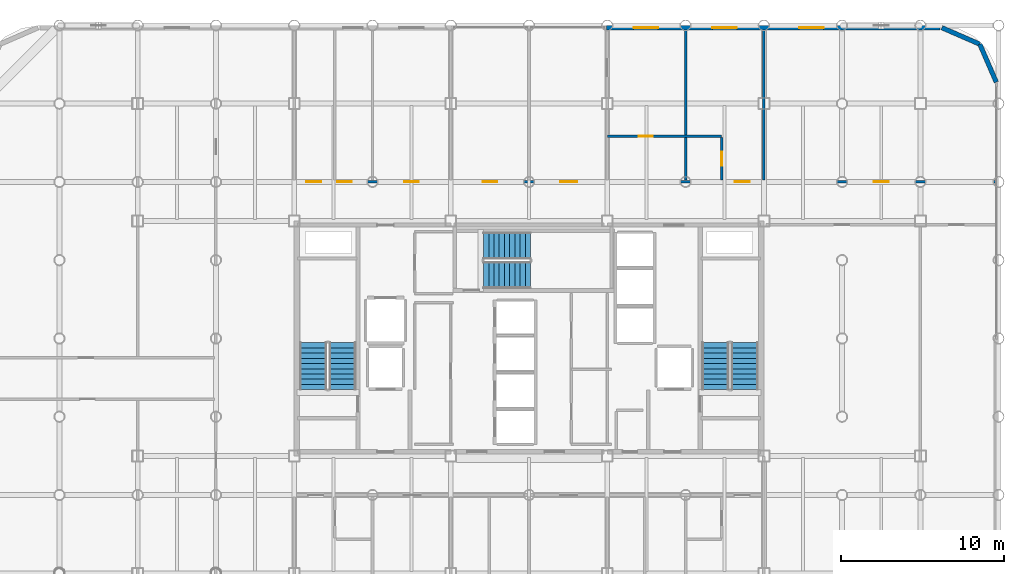
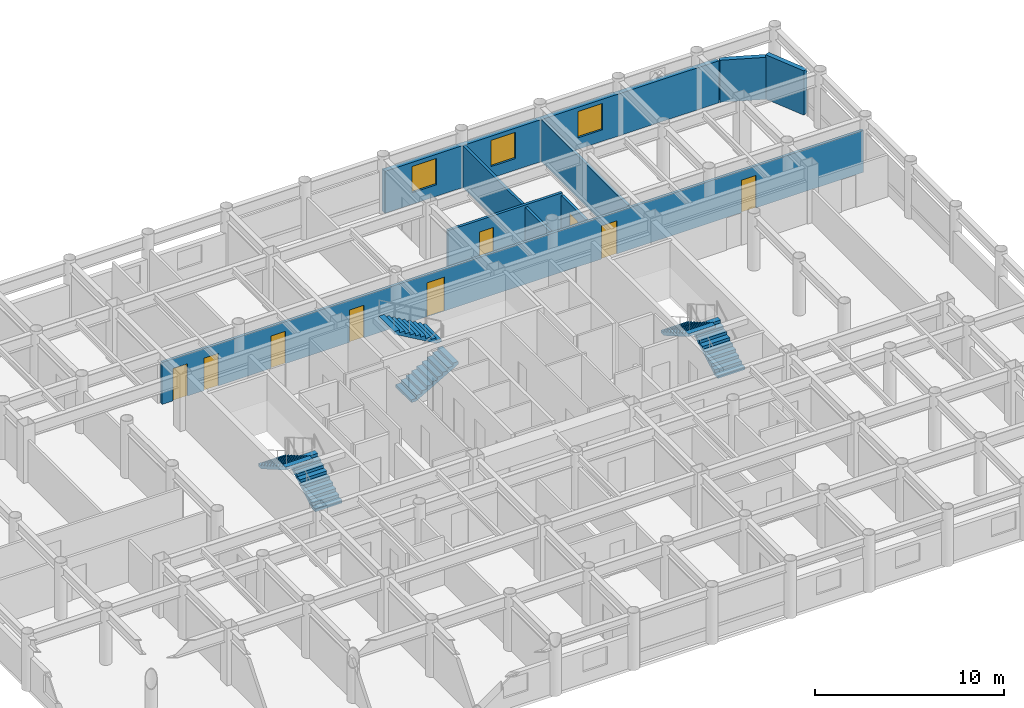
# One storey, part 19 of 20: 9 doors, 8 walls, 6 stair flights, 3 windows, 12 openings, 3 elements without a shape of their own.
"""IFC4 building model written with IfcOpenShell, lengths in metres."""

from ifc_helpers import new_model, si_unit, direction, frame, frame_2d, origin, place, context, subcontext, project, spatial, polyline, rectangle, outline, extrude, material, layer, layer_set, type_object, element, fill, aggregate, save


model = new_model("IFC4")

# Units and contexts
model_context = context("Model", 3, precision=1e-05, world=origin(), true_north=direction((0.0, 1.0)))
body_context = subcontext(model_context, "Body", "Model", "MODEL_VIEW")
ifc_project = project(units=[si_unit("LENGTHUNIT", "METRE"), si_unit("AREAUNIT", "SQUARE_METRE"), si_unit("VOLUMEUNIT", "CUBIC_METRE"), si_unit("PLANEANGLEUNIT", "RADIAN"), si_unit("MASSUNIT", "GRAM", prefix="KILO")], contexts=[model_context])

# Site, building, storey
site_placement = place(None, origin())
site = spatial("IfcSite", under=ifc_project, at=site_placement, CompositionType="ELEMENT")
building_placement = place(site_placement, origin())
building = spatial("IfcBuilding", under=site, at=building_placement, Name="Kallvorn Hotel Tower", CompositionType="ELEMENT")
storey_placement = place(building_placement, frame((0.0, 0.0, 161.800048828125)))
storey = spatial("IfcBuildingStorey", under=building, at=storey_placement, Name="L40", CompositionType="ELEMENT", Elevation=161.800048828125)

# Wall, openings, doors
ifc_material_1 = material(Name="Fire-rated double-layer acoustic gypsum drywall EI 60")
ifc_layer_1 = layer(ifc_material_1, 0.159912109375)
ifc_layer_set_1 = layer_set([ifc_layer_1], Name="WL_DEMISE_160")
wall_type_1 = type_object("IfcWallType", Name="WL_DEMISE_160", PredefinedType="PARTITIONING", material=ifc_layer_set_1)
wall_1_placement = place(storey_placement, frame((-14.320068359375, 9.60009765625, 0.0), z_axis=(0.0, 0.0, 1.0), x_axis=(1.0, 0.0, 0.0)))
wall_1 = element("IfcWall", 1, at=wall_1_placement, inside=storey, type_object=wall_type_1, Name="L40 Suite 4005 Junior Living Salon Partition", PredefinedType="PARTITIONING", context=body_context, shape_type="SweptSolid", body=[
    extrude(rectangle(XDim=42.949951171875, YDim=0.159912109375, at=frame_2d((21.47509765625, 0.0))), origin(), (0.0, 0.0, 1.0), 2.719970703125),
])
opening_1_placement = place(wall_1_placement, frame((35.469970703125, 0.0, 0.0)))
opening_1 = element("IfcOpeningElement", 2, at=opening_1_placement, cuts=wall_1, Name="Opening SVD1", PredefinedType="OPENING", context=body_context, shape_type="SweptSolid", body=[
    extrude(rectangle(XDim=0.89990234375, YDim=2.10009765625, at=frame_2d((0.449951171875, 1.050048828125))), frame((0.0, 0.094970703125, 0.0), z_axis=(0.0, -1.0, 0.0), x_axis=(1.0, 0.0, 0.0)), (0.0, 0.0, 1.0), 0.18994140625),
])
opening_2_placement = place(wall_1_placement, frame((0.669921875, 0.0, 0.0)))
opening_2 = element("IfcOpeningElement", 3, at=opening_2_placement, cuts=wall_1, Name="Opening SVD1", PredefinedType="OPENING", context=body_context, shape_type="SweptSolid", body=[
    extrude(rectangle(XDim=0.89990234375, YDim=2.10009765625, at=frame_2d((0.449951171875, 1.050048828125))), frame((0.0, 0.094970703125, 0.0), z_axis=(0.0, -1.0, 0.0), x_axis=(1.0, 0.0, 0.0)), (0.0, 0.0, 1.0), 0.18994140625),
])
opening_3_placement = place(wall_1_placement, frame((2.56005859375, 0.0, 0.0)))
opening_3 = element("IfcOpeningElement", 4, at=opening_3_placement, cuts=wall_1, Name="Opening SVD1", PredefinedType="OPENING", context=body_context, shape_type="SweptSolid", body=[
    extrude(rectangle(XDim=0.89990234375, YDim=2.10009765625, at=frame_2d((0.449951171875, 1.050048828125))), frame((0.0, 0.094970703125, 0.0), z_axis=(0.0, -1.0, 0.0), x_axis=(1.0, 0.0, 0.0)), (0.0, 0.0, 1.0), 0.18994140625),
])
opening_4_placement = place(wall_1_placement, frame((6.669921875, 0.0, 0.0)))
opening_4 = element("IfcOpeningElement", 5, at=opening_4_placement, cuts=wall_1, Name="Opening SVD1", PredefinedType="OPENING", context=body_context, shape_type="SweptSolid", body=[
    extrude(rectangle(XDim=0.89990234375, YDim=2.10009765625, at=frame_2d((0.449951171875, 1.050048828125))), frame((0.0, 0.094970703125, 0.0), z_axis=(0.0, -1.0, 0.0), x_axis=(1.0, 0.0, 0.0)), (0.0, 0.0, 1.0), 0.18994140625),
])
opening_5_placement = place(wall_1_placement, frame((11.469970703125, 0.0, 0.0)))
opening_5 = element("IfcOpeningElement", 6, at=opening_5_placement, cuts=wall_1, Name="Opening SVD1", PredefinedType="OPENING", context=body_context, shape_type="SweptSolid", body=[
    extrude(rectangle(XDim=0.89990234375, YDim=2.10009765625, at=frame_2d((0.449951171875, 1.050048828125))), frame((0.0, 0.094970703125, 0.0), z_axis=(0.0, -1.0, 0.0), x_axis=(1.0, 0.0, 0.0)), (0.0, 0.0, 1.0), 0.18994140625),
])
opening_6_placement = place(wall_1_placement, frame((16.235107421875, 0.0, 0.0)))
opening_6 = element("IfcOpeningElement", 7, at=opening_6_placement, cuts=wall_1, Name="Opening GD2", PredefinedType="OPENING", context=body_context, shape_type="SweptSolid", body=[
    extrude(rectangle(XDim=1.050048828125, YDim=2.199951171875, at=frame_2d((0.52490234375, 1.10009765625))), frame((0.0, 0.094970703125, 0.0), z_axis=(0.0, -1.0, 0.0), x_axis=(1.0, 0.0, 0.0)), (0.0, 0.0, 1.0), 0.18994140625),
])
opening_7_placement = place(wall_1_placement, frame((26.925048828125, 0.0, 0.0)))
opening_7 = element("IfcOpeningElement", 8, at=opening_7_placement, cuts=wall_1, Name="Opening GD1", PredefinedType="OPENING", context=body_context, shape_type="SweptSolid", body=[
    extrude(rectangle(XDim=0.919921875, YDim=2.14990234375, at=frame_2d((0.4599609375, 1.074951171875))), frame((0.0, 0.094970703125, 0.0), z_axis=(0.0, -1.0, 0.0), x_axis=(1.0, 0.0, 0.0)), (0.0, 0.0, 1.0), 0.18994140625),
])
ifc_material_2 = material(Name="Solid-core walnut veneer fire-rated timber door leaf", Category="wood")
door_type_1 = type_object("IfcDoorType", Name="DR_GUEST_920x2150", OperationType="NOTDEFINED", PredefinedType="DOOR", material=ifc_material_2)
door_1_placement = place(opening_7_placement, origin())
door_1 = element("IfcDoor", 9, at=door_1_placement, inside=storey, type_object=door_type_1, Name="L40 Suite 4006 Standard Twin Room Door", OperationType="SINGLE_SWING_LEFT", OverallHeight=2.14990234375, OverallWidth=0.919921875, PredefinedType="DOOR", context=body_context, shape_type="SweptSolid", body=[
    extrude(rectangle(XDim=0.919921875, YDim=2.14990234375, at=frame_2d((0.4599609375, 1.074951171875))), frame((0.0, 0.02490234375, 0.0), z_axis=(0.0, -1.0, 0.0), x_axis=(1.0, 0.0, 0.0)), (0.0, 0.0, 1.0), 0.050048828125),
])
fill(opening_7, door_1)
ifc_material_3 = material(Name="Galvanised painted steel fire-rated door assembly", Category="steel")
door_type_2 = type_object("IfcDoorType", Name="DR_SERV_900x2100", OperationType="NOTDEFINED", PredefinedType="DOOR", material=ifc_material_3)
door_2_placement = place(opening_1_placement, origin())
door_2 = element("IfcDoor", 10, at=door_2_placement, inside=storey, type_object=door_type_2, Name="L40 L40 North-East Monserrate Banquet Hall Door", OperationType="SINGLE_SWING_RIGHT", OverallHeight=2.10009765625, OverallWidth=0.89990234375, PredefinedType="DOOR", context=body_context, shape_type="SweptSolid", body=[
    extrude(rectangle(XDim=0.89990234375, YDim=2.10009765625, at=frame_2d((0.449951171875, 1.050048828125))), frame((0.0, 0.02490234375, 0.0), z_axis=(0.0, -1.0, 0.0), x_axis=(1.0, 0.0, 0.0)), (0.0, 0.0, 1.0), 0.050048828125),
])
fill(opening_1, door_2)
door_3_placement = place(opening_2_placement, origin())
door_3 = element("IfcDoor", 11, at=door_3_placement, inside=storey, type_object=door_type_2, Name="L40 Housekeeping and Linen Room Door", OperationType="SINGLE_SWING_LEFT", OverallHeight=2.10009765625, OverallWidth=0.89990234375, PredefinedType="DOOR", context=body_context, shape_type="SweptSolid", body=[
    extrude(rectangle(XDim=0.89990234375, YDim=2.10009765625, at=frame_2d((0.449951171875, 1.050048828125))), frame((0.0, 0.02490234375, 0.0), z_axis=(0.0, -1.0, 0.0), x_axis=(1.0, 0.0, 0.0)), (0.0, 0.0, 1.0), 0.050048828125),
])
fill(opening_2, door_3)
door_4_placement = place(opening_3_placement, origin())
door_4 = element("IfcDoor", 12, at=door_4_placement, inside=storey, type_object=door_type_2, Name="L40 Guest Tea and Refreshment Bar Door", OperationType="SINGLE_SWING_RIGHT", OverallHeight=2.10009765625, OverallWidth=0.89990234375, PredefinedType="DOOR", context=body_context, shape_type="SweptSolid", body=[
    extrude(rectangle(XDim=0.89990234375, YDim=2.10009765625, at=frame_2d((0.449951171875, 1.050048828125))), frame((0.0, 0.02490234375, 0.0), z_axis=(0.0, -1.0, 0.0), x_axis=(1.0, 0.0, 0.0)), (0.0, 0.0, 1.0), 0.050048828125),
])
fill(opening_3, door_4)
door_5_placement = place(opening_4_placement, origin())
door_5 = element("IfcDoor", 13, at=door_5_placement, inside=storey, type_object=door_type_2, Name="L40 L40 Executive Co-Working Open-Plan Office 2-1 Door", OperationType="SINGLE_SWING_RIGHT", OverallHeight=2.10009765625, OverallWidth=0.89990234375, PredefinedType="DOOR", context=body_context, shape_type="SweptSolid", body=[
    extrude(rectangle(XDim=0.89990234375, YDim=2.10009765625, at=frame_2d((0.449951171875, 1.050048828125))), frame((0.0, 0.02490234375, 0.0), z_axis=(0.0, -1.0, 0.0), x_axis=(1.0, 0.0, 0.0)), (0.0, 0.0, 1.0), 0.050048828125),
])
fill(opening_4, door_5)
door_6_placement = place(opening_5_placement, origin())
door_6 = element("IfcDoor", 14, at=door_6_placement, inside=storey, type_object=door_type_2, Name="L40 L40 Executive Co-Working Open-Plan Office 2-2 Door", OperationType="SINGLE_SWING_LEFT", OverallHeight=2.10009765625, OverallWidth=0.89990234375, PredefinedType="DOOR", context=body_context, shape_type="SweptSolid", body=[
    extrude(rectangle(XDim=0.89990234375, YDim=2.10009765625, at=frame_2d((0.449951171875, 1.050048828125))), frame((0.0, 0.02490234375, 0.0), z_axis=(0.0, -1.0, 0.0), x_axis=(1.0, 0.0, 0.0)), (0.0, 0.0, 1.0), 0.050048828125),
])
fill(opening_5, door_6)
ifc_material_4 = material(Name="Solid-core walnut veneer fire-rated timber door leaf", Category="wood")
door_type_3 = type_object("IfcDoorType", Name="DR_SUITE_1050x2200", OperationType="NOTDEFINED", PredefinedType="DOOR", material=ifc_material_4)
door_7_placement = place(opening_6_placement, origin())
door_7 = element("IfcDoor", 15, at=door_7_placement, inside=storey, type_object=door_type_3, Name="L40 Suite 4005 Junior Living Salon Door", OperationType="SINGLE_SWING_RIGHT", OverallHeight=2.199951171875, OverallWidth=1.050048828125, PredefinedType="DOOR", context=body_context, shape_type="SweptSolid", body=[
    extrude(rectangle(XDim=1.050048828125, YDim=2.199951171875, at=frame_2d((0.52490234375, 1.10009765625))), frame((0.0, 0.02490234375, 0.0), z_axis=(0.0, -1.0, 0.0), x_axis=(1.0, 0.0, 0.0)), (0.0, 0.0, 1.0), 0.050048828125),
])
fill(opening_6, door_7)

# Wall, opening, door
wall_2_placement = place(storey_placement, frame((4.800048828125, 12.39501953125, 0.0), z_axis=(0.0, 0.0, 1.0), x_axis=(1.0, 0.0, 0.0)))
wall_2 = element("IfcWall", 16, at=wall_2_placement, inside=storey, type_object=wall_type_1, Name="L40 Suite 4005 Junior Bedroom Partition", PredefinedType="PARTITIONING", context=body_context, shape_type="SweptSolid", body=[
    extrude(rectangle(XDim=7.010009765625, YDim=0.159912109375, at=frame_2d((3.5048828125, 0.0))), origin(), (0.0, 0.0, 1.0), 2.869873046875),
])
opening_8_placement = place(wall_2_placement, frame((1.929931640625, 0.0, 0.0)))
opening_8 = element("IfcOpeningElement", 17, at=opening_8_placement, cuts=wall_2, Name="Opening BD-I", PredefinedType="OPENING", context=body_context, shape_type="SweptSolid", body=[
    extrude(rectangle(XDim=0.860107421875, YDim=2.10009765625, at=frame_2d((0.43017578125, 1.050048828125))), frame((0.0, 0.094970703125, 0.0), z_axis=(0.0, -1.0, 0.0), x_axis=(1.0, 0.0, 0.0)), (0.0, 0.0, 1.0), 0.18994140625),
])
ifc_material_5 = material(Name="Solid-core walnut veneer fire-rated timber door leaf", Category="wood")
door_type_4 = type_object("IfcDoorType", Name="DR_BATH_860x2100", OperationType="NOTDEFINED", PredefinedType="DOOR", material=ifc_material_5)
door_8_placement = place(opening_8_placement, origin())
door_8 = element("IfcDoor", 18, at=door_8_placement, inside=storey, type_object=door_type_4, Name="L40 Suite 4005 En-Suite Bathroom Door", OperationType="SINGLE_SWING_LEFT", OverallHeight=2.10009765625, OverallWidth=0.860107421875, PredefinedType="DOOR", context=body_context, shape_type="SweptSolid", body=[
    extrude(rectangle(XDim=0.860107421875, YDim=2.10009765625, at=frame_2d((0.43017578125, 1.050048828125))), frame((0.0, 0.02490234375, 0.0), z_axis=(0.0, -1.0, 0.0), x_axis=(1.0, 0.0, 0.0)), (0.0, 0.0, 1.0), 0.050048828125),
])
fill(opening_8, door_8)

# Wall
wall_3_placement = place(storey_placement, frame((9.60009765625, 9.719970703125, 0.0), z_axis=(0.0, 0.0, 1.0), x_axis=(0.0, 1.0, 0.0)))
element("IfcWall", 19, at=wall_3_placement, inside=storey, type_object=wall_type_1, Name="L40 Suite 4006 Standard Twin Room Partition", PredefinedType="PARTITIONING", context=body_context, shape_type="SweptSolid", body=[
    extrude(rectangle(XDim=9.18994140625, YDim=0.159912109375, at=frame_2d((4.594970703125, 0.0))), origin(), (0.0, 0.0, 1.0), 2.719970703125),
])

# Wall, opening, door
wall_4_placement = place(storey_placement, frame((11.81005859375, 9.719970703125, 0.0), z_axis=(0.0, 0.0, 1.0), x_axis=(0.0, 1.0, 0.0)))
wall_4 = element("IfcWall", 20, at=wall_4_placement, inside=storey, type_object=wall_type_1, Name="L40 Suite 4006 Standard Twin Room Partition", PredefinedType="PARTITIONING", context=body_context, shape_type="SweptSolid", body=[
    extrude(rectangle(XDim=2.590087890625, YDim=0.159912109375, at=frame_2d((1.294921875, 0.0))), origin(), (0.0, 0.0, 1.0), 2.719970703125),
])
opening_9_placement = place(wall_4_placement, frame((0.8701171875, 0.0, 0.0)))
opening_9 = element("IfcOpeningElement", 21, at=opening_9_placement, cuts=wall_4, Name="Opening BD-I", PredefinedType="OPENING", context=body_context, shape_type="SweptSolid", body=[
    extrude(rectangle(XDim=0.860107421875, YDim=2.10009765625, at=frame_2d((0.43017578125, 1.050048828125))), frame((0.0, 0.094970703125, 0.0), z_axis=(0.0, -1.0, 0.0), x_axis=(1.0, 0.0, 0.0)), (0.0, 0.0, 1.0), 0.18994140625),
])
door_9_placement = place(opening_9_placement, origin())
door_9 = element("IfcDoor", 22, at=door_9_placement, inside=storey, type_object=door_type_4, Name="L40 Suite 4006 En-Suite Bathroom Door", OperationType="SINGLE_SWING_LEFT", OverallHeight=2.10009765625, OverallWidth=0.860107421875, PredefinedType="DOOR", context=body_context, shape_type="SweptSolid", body=[
    extrude(rectangle(XDim=0.860107421875, YDim=2.10009765625, at=frame_2d((0.43017578125, 1.050048828125))), frame((0.0, 0.02490234375, 0.0), z_axis=(0.0, -1.0, 0.0), x_axis=(1.0, 0.0, 0.0)), (0.0, 0.0, 1.0), 0.050048828125),
])
fill(opening_9, door_9)

# Walls
wall_5_placement = place(storey_placement, frame((14.39990234375, 9.719970703125, 0.0), z_axis=(0.0, 0.0, 1.0), x_axis=(0.0, 1.0, 0.0)))
element("IfcWall", 23, at=wall_5_placement, inside=storey, type_object=wall_type_1, Name="L40 Suite 4006 Standard Twin Room Partition", PredefinedType="PARTITIONING", context=body_context, shape_type="SweptSolid", body=[
    extrude(rectangle(XDim=9.18994140625, YDim=0.159912109375, at=frame_2d((4.594970703125, 0.0))), origin(), (0.0, 0.0, 1.0), 2.719970703125),
])
ifc_material_6 = material(Name="Precast basalt-clad insulated concrete wall C40/50", Category="masonry")
ifc_layer_2 = layer(ifc_material_6, 0.280029296875)
ifc_layer_set_2 = layer_set([ifc_layer_2], Name="WL_EXT_LOGGIA_280")
wall_type_2 = type_object("IfcWallType", Name="WL_EXT_LOGGIA_280", PredefinedType="SOLIDWALL", material=ifc_layer_set_2)
wall_6_placement = place(storey_placement, frame((28.657958984375, 15.720703125, 0.0), z_axis=(0.0, 0.0, 1.0), x_axis=(-0.398792985289, 0.917040977756, 0.0)))
element("IfcWall", 24, at=wall_6_placement, inside=storey, type_object=wall_type_2, Name="L40 Rounded Corner Exterior Wall NE1", PredefinedType="SOLIDWALL", context=body_context, shape_type="SweptSolid", body=[
    extrude(rectangle(XDim=2.536376953125, YDim=0.280029296875, at=frame_2d((1.26806640625, 0.0))), origin(), (0.0, 0.0, 1.0), 2.869873046875),
])
wall_7_placement = place(storey_placement, frame((27.646484375, 18.046630859375, 0.0), z_axis=(0.0, 0.0, 1.0), x_axis=(-0.917060872934, 0.398747232384, 0.0)))
element("IfcWall", 25, at=wall_7_placement, inside=storey, type_object=wall_type_2, Name="L40 Rounded Corner Exterior Wall NE2", PredefinedType="SOLIDWALL", context=body_context, shape_type="SweptSolid", body=[
    extrude(rectangle(XDim=2.5361328125, YDim=0.280029296875, at=frame_2d((1.26806640625, 0.0))), origin(), (0.0, 0.0, 1.0), 2.719970703125),
])

# Wall, openings, windows
wall_8_placement = place(storey_placement, frame((4.75, 19.06005859375, 0.0), z_axis=(0.0, 0.0, 1.0), x_axis=(1.0, 0.0, 0.0)))
wall_8 = element("IfcWall", 26, at=wall_8_placement, inside=storey, type_object=wall_type_2, Name="L40 Exterior Envelope Wall EW-L40-NE", PredefinedType="SOLIDWALL", context=body_context, shape_type="SweptSolid", body=[
    extrude(rectangle(XDim=20.449951171875, YDim=0.280029296875, at=frame_2d((10.22509765625, 0.0))), origin(), (0.0, 0.0, 1.0), 2.719970703125),
])
opening_10_placement = place(wall_8_placement, frame((11.81689453125, 0.0, 0.75)))
opening_10 = element("IfcOpeningElement", 27, at=opening_10_placement, cuts=wall_8, Name="Opening W05", PredefinedType="OPENING", context=body_context, shape_type="SweptSolid", body=[
    extrude(rectangle(XDim=1.5, YDim=1.699951171875, at=frame_2d((0.75, 0.85009765625))), frame((0.0, 0.155029296875, 0.0), z_axis=(0.0, -1.0, 0.0), x_axis=(1.0, 0.0, 0.0)), (0.0, 0.0, 1.0), 0.31005859375),
])
opening_11_placement = place(wall_8_placement, frame((1.659912109375, 0.0, 0.75)))
opening_11 = element("IfcOpeningElement", 28, at=opening_11_placement, cuts=wall_8, Name="Opening W05", PredefinedType="OPENING", context=body_context, shape_type="SweptSolid", body=[
    extrude(rectangle(XDim=1.5, YDim=1.699951171875, at=frame_2d((0.75, 0.85009765625))), frame((0.0, 0.155029296875, 0.0), z_axis=(0.0, -1.0, 0.0), x_axis=(1.0, 0.0, 0.0)), (0.0, 0.0, 1.0), 0.31005859375),
])
opening_12_placement = place(wall_8_placement, frame((6.5, 0.0, 0.75)))
opening_12 = element("IfcOpeningElement", 29, at=opening_12_placement, cuts=wall_8, Name="Opening W05", PredefinedType="OPENING", context=body_context, shape_type="SweptSolid", body=[
    extrude(rectangle(XDim=1.5, YDim=1.699951171875, at=frame_2d((0.75, 0.85009765625))), frame((0.0, 0.155029296875, 0.0), z_axis=(0.0, -1.0, 0.0), x_axis=(1.0, 0.0, 0.0)), (0.0, 0.0, 1.0), 0.31005859375),
])
ifc_material_7 = material(Name="Double-glazed low-e solar-control dark glass", Category="glass")
window_type = type_object("IfcWindowType", Name="WN_HTL_1500x1700", PartitioningType="SINGLE_PANEL", PredefinedType="WINDOW", material=ifc_material_7)
window_1_placement = place(opening_10_placement, origin())
window_1 = element("IfcWindow", 30, at=window_1_placement, inside=storey, type_object=window_type, Name="L40 Guestroom Exterior Window 04", OverallHeight=1.699951171875, OverallWidth=1.5, PartitioningType="SINGLE_PANEL", PredefinedType="WINDOW", context=body_context, shape_type="SweptSolid", body=[
    extrude(rectangle(XDim=1.5, YDim=1.699951171875, at=frame_2d((0.75, 0.85009765625))), frame((0.0, 0.030029296875, 0.0), z_axis=(0.0, -1.0, 0.0), x_axis=(1.0, 0.0, 0.0)), (0.0, 0.0, 1.0), 0.06005859375),
])
fill(opening_10, window_1)
window_2_placement = place(opening_11_placement, origin())
window_2 = element("IfcWindow", 31, at=window_2_placement, inside=storey, type_object=window_type, Name="L40 Guestroom Exterior Window 12", OverallHeight=1.699951171875, OverallWidth=1.5, PartitioningType="SINGLE_PANEL", PredefinedType="WINDOW", context=body_context, shape_type="SweptSolid", body=[
    extrude(rectangle(XDim=1.5, YDim=1.699951171875, at=frame_2d((0.75, 0.85009765625))), frame((0.0, 0.030029296875, 0.0), z_axis=(0.0, -1.0, 0.0), x_axis=(1.0, 0.0, 0.0)), (0.0, 0.0, 1.0), 0.06005859375),
])
fill(opening_11, window_2)
window_3_placement = place(opening_12_placement, origin())
window_3 = element("IfcWindow", 32, at=window_3_placement, inside=storey, type_object=window_type, Name="L40 Guestroom Exterior Window 13", OverallHeight=1.699951171875, OverallWidth=1.5, PartitioningType="SINGLE_PANEL", PredefinedType="WINDOW", context=body_context, shape_type="SweptSolid", body=[
    extrude(rectangle(XDim=1.5, YDim=1.699951171875, at=frame_2d((0.75, 0.85009765625))), frame((0.0, 0.030029296875, 0.0), z_axis=(0.0, -1.0, 0.0), x_axis=(1.0, 0.0, 0.0)), (0.0, 0.0, 1.0), 0.06005859375),
])
fill(opening_12, window_3)

# Stair, stair flights
ifc_material_8 = material(Name="Precast concrete C40/50", Category="concrete")
stair_type = type_object("IfcStairType", Name="STR_CORE_DOGLEG", PredefinedType="HALF_TURN_STAIR", material=ifc_material_8)
stair_1_placement = place(storey_placement, origin())
stair_1 = element("IfcStair", 33, at=stair_1_placement, inside=storey, type_object=stair_type, Name="L40 Exit stair ST1", PredefinedType="HALF_TURN_STAIR")
ifc_material_9 = material(Name="Precast concrete C40/50", Category="concrete")
stair_flight_type = type_object("IfcStairFlightType", Name="FLT_CORE_1660", PredefinedType="STRAIGHT", material=ifc_material_9)
stair_flight_1_placement = place(storey_placement, frame((-11.429931640625, -3.139892578125, 0.0), z_axis=(0.0, 0.0, 1.0), x_axis=(0.0, 1.0, 0.0)))
stair_flight_1 = element("IfcStairFlight", 34, at=stair_flight_1_placement, type_object=stair_flight_type, Name="ST1 flight 1", NumberOfRisers=10, NumberOfTreads=9, PredefinedType="STRAIGHT", RiserHeight=0.185, TreadLength=0.32, context=body_context, shape_type="SweptSolid", body=[
    extrude(outline(polyline([(0.0, 0.0), (0.0, 0.18505859375), (0.320068359375, 0.18505859375), (0.320068359375, 0.3701171875), (0.639892578125, 0.3701171875), (0.639892578125, 0.554931640625), (0.9599609375, 0.554931640625), (0.9599609375, 0.739990234375), (1.280029296875, 0.739990234375), (1.280029296875, 0.925048828125), (1.60009765625, 0.925048828125), (1.60009765625, 1.110107421875), (1.919921875, 1.110107421875), (1.919921875, 1.294921875), (2.239990234375, 1.294921875), (2.239990234375, 1.47998046875), (2.56005859375, 1.47998046875), (2.56005859375, 1.6650390625), (2.8798828125, 1.6650390625), (2.8798828125, 1.85009765625), (2.8798828125, 1.491943359375), (0.299560546875, 0.0), (0.0, 0.0)])), frame((0.0, 0.830078125, 0.0), z_axis=(0.0, -1.0, 0.0), x_axis=(1.0, 0.0, 0.0)), (0.0, 0.0, 1.0), 1.659912109375),
])
stair_flight_2_placement = place(storey_placement, frame((-13.22998046875, -0.260009765625, 1.849853515625), z_axis=(0.0, 0.0, 1.0), x_axis=(0.0, -1.0, 0.0)))
stair_flight_2 = element("IfcStairFlight", 35, at=stair_flight_2_placement, type_object=stair_flight_type, Name="ST1 flight 2", NumberOfRisers=10, NumberOfTreads=9, PredefinedType="STRAIGHT", RiserHeight=0.185, TreadLength=0.32, context=body_context, shape_type="SweptSolid", body=[
    extrude(outline(polyline([(0.0, 0.0), (0.0, 0.18505859375), (0.320068359375, 0.18505859375), (0.320068359375, 0.3701171875), (0.639892578125, 0.3701171875), (0.639892578125, 0.554931640625), (0.9599609375, 0.554931640625), (0.9599609375, 0.739990234375), (1.280029296875, 0.739990234375), (1.280029296875, 0.925048828125), (1.60009765625, 0.925048828125), (1.60009765625, 1.110107421875), (1.919921875, 1.110107421875), (1.919921875, 1.294921875), (2.239990234375, 1.294921875), (2.239990234375, 1.47998046875), (2.56005859375, 1.47998046875), (2.56005859375, 1.6650390625), (2.8798828125, 1.6650390625), (2.8798828125, 1.85009765625), (2.8798828125, 1.491943359375), (0.299560546875, 0.0), (0.0, 0.0)])), frame((0.0, 0.830078125, 0.0), z_axis=(0.0, -1.0, 0.0), x_axis=(1.0, 0.0, 0.0)), (0.0, 0.0, 1.0), 1.659912109375),
])
aggregate(stair_1, [stair_flight_1, stair_flight_2])

stair_2_placement = place(storey_placement, origin())
stair_2 = element("IfcStair", 36, at=stair_2_placement, inside=storey, type_object=stair_type, Name="L40 Exit stair ST2", PredefinedType="HALF_TURN_STAIR")
stair_flight_3_placement = place(storey_placement, frame((13.22998046875, -3.139892578125, 0.0), z_axis=(0.0, 0.0, 1.0), x_axis=(0.0, 1.0, 0.0)))
stair_flight_3 = element("IfcStairFlight", 37, at=stair_flight_3_placement, type_object=stair_flight_type, Name="ST2 flight 1", NumberOfRisers=10, NumberOfTreads=9, PredefinedType="STRAIGHT", RiserHeight=0.185, TreadLength=0.32, context=body_context, shape_type="SweptSolid", body=[
    extrude(outline(polyline([(0.0, 0.0), (0.0, 0.18505859375), (0.320068359375, 0.18505859375), (0.320068359375, 0.3701171875), (0.639892578125, 0.3701171875), (0.639892578125, 0.554931640625), (0.9599609375, 0.554931640625), (0.9599609375, 0.739990234375), (1.280029296875, 0.739990234375), (1.280029296875, 0.925048828125), (1.60009765625, 0.925048828125), (1.60009765625, 1.110107421875), (1.919921875, 1.110107421875), (1.919921875, 1.294921875), (2.239990234375, 1.294921875), (2.239990234375, 1.47998046875), (2.56005859375, 1.47998046875), (2.56005859375, 1.6650390625), (2.8798828125, 1.6650390625), (2.8798828125, 1.85009765625), (2.8798828125, 1.491943359375), (0.299560546875, 0.0), (0.0, 0.0)])), frame((0.0, 0.830078125, 0.0), z_axis=(0.0, -1.0, 0.0), x_axis=(1.0, 0.0, 0.0)), (0.0, 0.0, 1.0), 1.659912109375),
])
stair_flight_4_placement = place(storey_placement, frame((11.429931640625, -0.260009765625, 1.849853515625), z_axis=(0.0, 0.0, 1.0), x_axis=(0.0, -1.0, 0.0)))
stair_flight_4 = element("IfcStairFlight", 38, at=stair_flight_4_placement, type_object=stair_flight_type, Name="ST2 flight 2", NumberOfRisers=10, NumberOfTreads=9, PredefinedType="STRAIGHT", RiserHeight=0.185, TreadLength=0.32, context=body_context, shape_type="SweptSolid", body=[
    extrude(outline(polyline([(0.0, 0.0), (0.0, 0.18505859375), (0.320068359375, 0.18505859375), (0.320068359375, 0.3701171875), (0.639892578125, 0.3701171875), (0.639892578125, 0.554931640625), (0.9599609375, 0.554931640625), (0.9599609375, 0.739990234375), (1.280029296875, 0.739990234375), (1.280029296875, 0.925048828125), (1.60009765625, 0.925048828125), (1.60009765625, 1.110107421875), (1.919921875, 1.110107421875), (1.919921875, 1.294921875), (2.239990234375, 1.294921875), (2.239990234375, 1.47998046875), (2.56005859375, 1.47998046875), (2.56005859375, 1.6650390625), (2.8798828125, 1.6650390625), (2.8798828125, 1.85009765625), (2.8798828125, 1.491943359375), (0.299560546875, 0.0), (0.0, 0.0)])), frame((0.0, 0.830078125, 0.0), z_axis=(0.0, -1.0, 0.0), x_axis=(1.0, 0.0, 0.0)), (0.0, 0.0, 1.0), 1.659912109375),
])
aggregate(stair_2, [stair_flight_3, stair_flight_4])

stair_3_placement = place(storey_placement, origin())
stair_3 = element("IfcStair", 39, at=stair_3_placement, inside=storey, type_object=stair_type, Name="L40 Exit stair ST3", PredefinedType="HALF_TURN_STAIR")
stair_flight_5_placement = place(storey_placement, frame((-2.7900390625, 3.8798828125, 0.0), z_axis=(0.0, 0.0, 1.0), x_axis=(1.0, 0.0, 0.0)))
stair_flight_5 = element("IfcStairFlight", 40, at=stair_flight_5_placement, type_object=stair_flight_type, Name="ST3 flight 1", NumberOfRisers=10, NumberOfTreads=9, PredefinedType="STRAIGHT", RiserHeight=0.185, TreadLength=0.32, context=body_context, shape_type="SweptSolid", body=[
    extrude(outline(polyline([(0.0, 0.0), (0.0, 0.18505859375), (0.320068359375, 0.18505859375), (0.320068359375, 0.3701171875), (0.639892578125, 0.3701171875), (0.639892578125, 0.554931640625), (0.9599609375, 0.554931640625), (0.9599609375, 0.739990234375), (1.280029296875, 0.739990234375), (1.280029296875, 0.925048828125), (1.60009765625, 0.925048828125), (1.60009765625, 1.110107421875), (1.919921875, 1.110107421875), (1.919921875, 1.294921875), (2.239990234375, 1.294921875), (2.239990234375, 1.47998046875), (2.56005859375, 1.47998046875), (2.56005859375, 1.6650390625), (2.8798828125, 1.6650390625), (2.8798828125, 1.85009765625), (2.8798828125, 1.491943359375), (0.299560546875, 0.0), (0.0, 0.0)])), frame((0.0, 0.830078125, 0.0), z_axis=(0.0, -1.0, 0.0), x_axis=(1.0, 0.0, 0.0)), (0.0, 0.0, 1.0), 1.659912109375),
])
stair_flight_6_placement = place(storey_placement, frame((0.090087890625, 5.679931640625, 1.849853515625), z_axis=(0.0, 0.0, 1.0), x_axis=(-1.0, 0.0, 0.0)))
stair_flight_6 = element("IfcStairFlight", 41, at=stair_flight_6_placement, type_object=stair_flight_type, Name="ST3 flight 2", NumberOfRisers=10, NumberOfTreads=9, PredefinedType="STRAIGHT", RiserHeight=0.185, TreadLength=0.32, context=body_context, shape_type="SweptSolid", body=[
    extrude(outline(polyline([(0.0, 0.0), (0.0, 0.18505859375), (0.320068359375, 0.18505859375), (0.320068359375, 0.3701171875), (0.639892578125, 0.3701171875), (0.639892578125, 0.554931640625), (0.9599609375, 0.554931640625), (0.9599609375, 0.739990234375), (1.280029296875, 0.739990234375), (1.280029296875, 0.925048828125), (1.60009765625, 0.925048828125), (1.60009765625, 1.110107421875), (1.919921875, 1.110107421875), (1.919921875, 1.294921875), (2.239990234375, 1.294921875), (2.239990234375, 1.47998046875), (2.56005859375, 1.47998046875), (2.56005859375, 1.6650390625), (2.8798828125, 1.6650390625), (2.8798828125, 1.85009765625), (2.8798828125, 1.491943359375), (0.299560546875, 0.0), (0.0, 0.0)])), frame((0.0, 0.830078125, 0.0), z_axis=(0.0, -1.0, 0.0), x_axis=(1.0, 0.0, 0.0)), (0.0, 0.0, 1.0), 1.659912109375),
])
aggregate(stair_3, [stair_flight_5, stair_flight_6])

save(model, "model.ifc")
